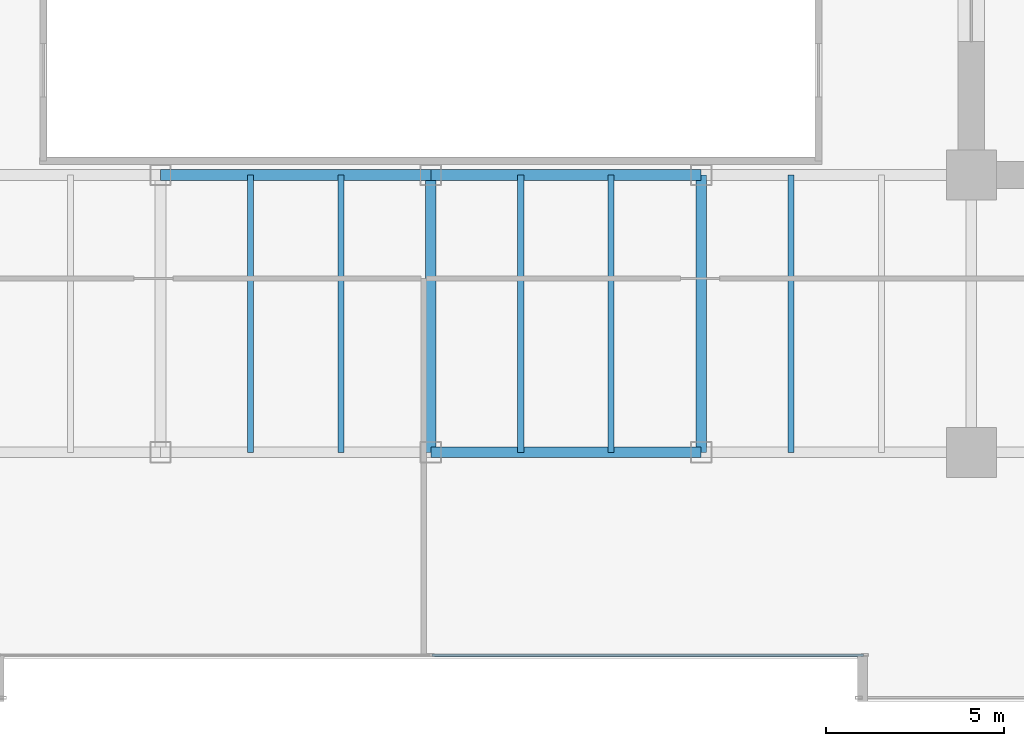
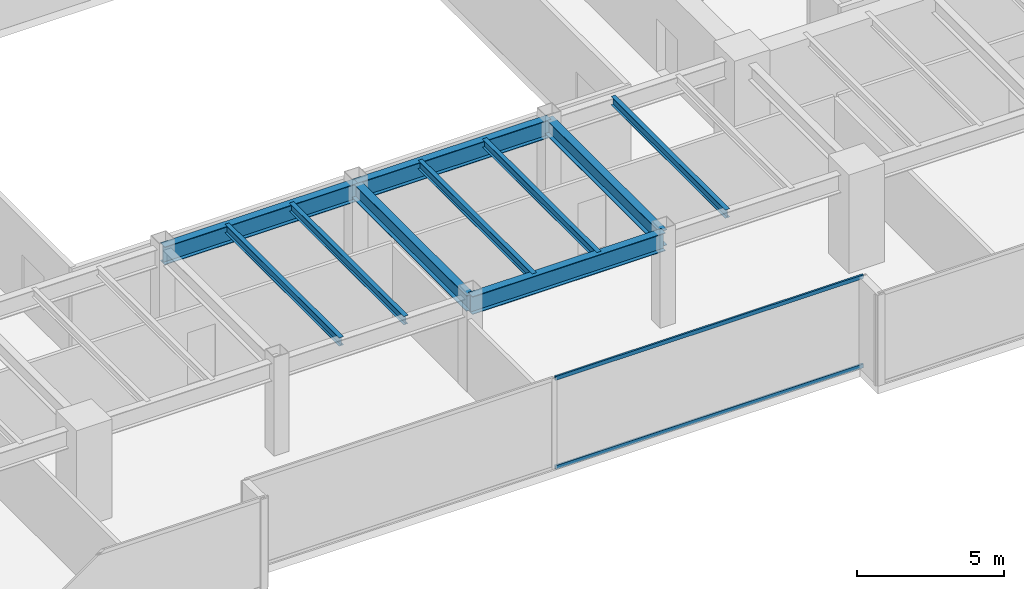
# One storey, part 9 of 35: 10 beams, 2 members, 1 element without a shape of its own.
"""IFC4 building model written with IfcOpenShell, lengths in metres."""

from ifc_helpers import new_model, si_unit, direction, frame, origin, origin_2d, place, context, subcontext, project, spatial, hollow_rectangle, i_section, extrude, source, transform, mapped, material, layer, layer_set, material_profile, profile_set, type_object, type_shapes, element, aggregate, save


model = new_model("IFC4")

# Units and contexts
model_context = context("Model", 3, precision=1e-05, world=origin(), true_north=direction((0.0, 1.0)))
body_context = subcontext(model_context, "Body", "Model", "MODEL_VIEW")
ifc_project = project(units=[si_unit("LENGTHUNIT", "METRE"), si_unit("AREAUNIT", "SQUARE_METRE"), si_unit("VOLUMEUNIT", "CUBIC_METRE"), si_unit("PLANEANGLEUNIT", "RADIAN"), si_unit("MASSUNIT", "GRAM", prefix="KILO")], contexts=[model_context])

# Site, building, storey
site_placement = place(None, origin())
site = spatial("IfcSite", under=ifc_project, at=site_placement, CompositionType="ELEMENT")
building_placement = place(site_placement, origin())
building = spatial("IfcBuilding", under=site, at=building_placement, Name="Haelvirn Gate Laboratories", CompositionType="ELEMENT")
storey_placement = place(building_placement, frame((0.0, 0.0, 66.199951171875)))
storey = spatial("IfcBuildingStorey", under=building, at=storey_placement, Name="L16", CompositionType="ELEMENT", Elevation=66.199951171875)

# Beams
ifc_material_1 = material(Name="Steel SM355", Category="steel")
ifc_material_profile_1 = material_profile(ifc_material_1, i_section(OverallWidth=0.300048828125, OverallDepth=0.75, WebThickness=0.013916015625, FlangeThickness=0.02392578125, at=origin_2d()), Name="H-750x300x14x24")
ifc_profile_set_1 = profile_set([ifc_material_profile_1], Name="Steel SM355")
beam_type_1 = type_object("IfcBeamType", Name="BM-G-750", PredefinedType="BEAM", material=ifc_profile_set_1)
shared_shape_1 = source(origin(), body_context, "Body", "SweptSolid", [
    extrude(i_section(OverallWidth=0.300048828125, OverallDepth=0.75, WebThickness=0.013916015625, FlangeThickness=0.02392578125, at=origin_2d()), origin(), (0.0, 0.0, 1.0), 7.60009765625),
])
for number, where, z_axis, x_axis, name in (
    (1, (37.39990234375, 7.0, 3.405029296875), (1.0, 0.0, 0.0), (0.0, 1.0, 0.0), "L16 Primary Girder Y7.0 (37.4-45.0)"),
    (2, (37.39990234375, 14.800048828125, 3.405029296875), (1.0, 0.0, 0.0), (0.0, 1.0, 0.0), "L16 Primary Girder Y14.8 (37.4-45.0)"),
):
    element("IfcBeam", number, at=place(storey_placement, frame(where, z_axis=z_axis, x_axis=x_axis)), inside=storey, type_object=beam_type_1, Name=name, PredefinedType="BEAM", context=body_context, shape_type="MappedRepresentation", body=[
        mapped(shared_shape_1, transform((0.0, 0.0, 0.0), scale=1.0)),
    ])
shared_shape_2 = source(origin(), body_context, "Body", "SweptSolid", [
    extrude(i_section(OverallWidth=0.300048828125, OverallDepth=0.75, WebThickness=0.013916015625, FlangeThickness=0.02392578125, at=origin_2d()), origin(), (0.0, 0.0, 1.0), 7.599853515625),
])
type_shapes(beam_type_1, [shared_shape_1, shared_shape_2])
beam_placement = place(storey_placement, frame((29.800048828125, 14.800048828125, 3.405029296875), z_axis=(1.0, 0.0, 0.0), x_axis=(0.0, 1.0, 0.0)))
element("IfcBeam", 3, at=beam_placement, inside=storey, type_object=beam_type_1, Name="L16 Primary Girder Y14.8 (29.8-37.4)", PredefinedType="BEAM", context=body_context, shape_type="MappedRepresentation", body=[
    mapped(shared_shape_2, transform((0.0, 0.0, 0.0), scale=1.0)),
])
ifc_material_profile_2 = material_profile(ifc_material_1, i_section(OverallWidth=0.175048828125, OverallDepth=0.35009765625, WebThickness=0.007080078125, FlangeThickness=0.010986328125, at=origin_2d()), Name="H-350x175x7x11")
ifc_profile_set_2 = profile_set([ifc_material_profile_2], Name="Steel SM355")
beam_type_2 = type_object("IfcBeamType", Name="BM-J-350", PredefinedType="JOIST", material=ifc_profile_set_2)
shared_shape_3 = source(origin(), body_context, "Body", "SweptSolid", [
    extrude(i_section(OverallWidth=0.175048828125, OverallDepth=0.35009765625, WebThickness=0.007080078125, FlangeThickness=0.010986328125, at=origin_2d()), origin(), (0.0, 0.0, 1.0), 7.800048828125),
])
type_shapes(beam_type_2, [shared_shape_3])
for number, where, z_axis, x_axis, name in (
    (4, (32.330078125, 7.0, 3.60498046875), (0.0, 1.0, 0.0), (-1.0, 0.0, 0.0), "L16 Composite Lab Joist South X32.33"),
    (5, (34.8701171875, 7.0, 3.60498046875), (0.0, 1.0, 0.0), (-1.0, 0.0, 0.0), "L16 Composite Lab Joist South X34.87"),
    (6, (39.929931640625, 7.0, 3.60498046875), (0.0, 1.0, 0.0), (-1.0, 0.0, 0.0), "L16 Composite Lab Joist South X39.93"),
    (7, (42.469970703125, 7.0, 3.60498046875), (0.0, 1.0, 0.0), (-1.0, 0.0, 0.0), "L16 Composite Lab Joist South X42.47"),
    (8, (47.530029296875, 7.0, 3.60498046875), (0.0, 1.0, 0.0), (-1.0, 0.0, 0.0), "L16 Composite Lab Joist South X47.53"),
):
    element("IfcBeam", number, at=place(storey_placement, frame(where, z_axis=z_axis, x_axis=x_axis)), inside=storey, type_object=beam_type_2, Name=name, PredefinedType="JOIST", context=body_context, shape_type="MappedRepresentation", body=[
        mapped(shared_shape_3, transform((0.0, 0.0, 0.0), scale=1.0)),
    ])
ifc_material_profile_3 = material_profile(ifc_material_1, i_section(OverallWidth=0.300048828125, OverallDepth=0.64990234375, WebThickness=0.012939453125, FlangeThickness=0.02197265625, at=origin_2d()), Name="H-650x300x13x22")
ifc_profile_set_3 = profile_set([ifc_material_profile_3], Name="Steel SM355")
beam_type_3 = type_object("IfcBeamType", Name="BM-G-650", PredefinedType="BEAM", material=ifc_profile_set_3)
shared_shape_4 = source(origin(), body_context, "Body", "SweptSolid", [
    extrude(i_section(OverallWidth=0.300048828125, OverallDepth=0.64990234375, WebThickness=0.012939453125, FlangeThickness=0.02197265625, at=origin_2d()), origin(), (0.0, 0.0, 1.0), 7.800048828125),
])
type_shapes(beam_type_3, [shared_shape_4])
for number, where, z_axis, x_axis, name in (
    (9, (37.39990234375, 7.0, 3.455078125), (0.0, 1.0, 0.0), (-1.0, 0.0, 0.0), "L16 Frame Girder X37.4 (7.0-14.8)"),
    (10, (45.0, 7.0, 3.455078125), (0.0, 1.0, 0.0), (-1.0, 0.0, 0.0), "L16 Frame Girder X45.0 (7.0-14.8)"),
):
    element("IfcBeam", number, at=place(storey_placement, frame(where, z_axis=z_axis, x_axis=x_axis)), inside=storey, type_object=beam_type_3, Name=name, PredefinedType="BEAM", context=body_context, shape_type="MappedRepresentation", body=[
        mapped(shared_shape_4, transform((0.0, 0.0, 0.0), scale=1.0)),
    ])

# Curtain wall, members
ifc_material_2 = material(Name="Anodised bronze unitised aluminium & triple low-E glass", Category="aluminium")
ifc_layer = layer(ifc_material_2, 0.18408203125, Name="CW-SYS-2")
ifc_layer_set = layer_set([ifc_layer], Name="Anodised bronze unitised aluminium & triple low-E glass")
curtain_wall_type = type_object("IfcCurtainWallType", Name="CW-SYS-2", PredefinedType="NOTDEFINED", material=ifc_layer_set)
curtain_wall_placement = place(storey_placement, origin())
curtain_wall = element("IfcCurtainWall", 11, at=curtain_wall_placement, inside=storey, type_object=curtain_wall_type, Name="L16 Unitised Curtain Wall CW-L16-P0-E02-1", PredefinedType="NOTDEFINED")
ifc_material_3 = material(Name="Extruded aluminium 6063-T6 (anodised bronze)", Category="aluminium")
ifc_material_profile_4 = material_profile(ifc_material_3, hollow_rectangle(XDim=0.070068359375, YDim=0.159912109375, WallThickness=0.0048828125, at=origin_2d()), Name="CWT-160x70x5")
ifc_profile_set_4 = profile_set([ifc_material_profile_4], Name="Extruded aluminium 6063-T6 (anodised bronze)")
member_type = type_object("IfcMemberType", Name="CWT-T160", PredefinedType="USERDEFINED", material=ifc_profile_set_4)
shared_shape_5 = source(origin(), body_context, "Body", "SweptSolid", [
    extrude(hollow_rectangle(XDim=0.070068359375, YDim=0.159912109375, WallThickness=0.0048828125, at=origin_2d()), origin(), (0.0, 0.0, 1.0), 12.12744140625),
])
type_shapes(member_type, [shared_shape_5])
member_1_placement = place(storey_placement, frame((37.4375, 1.300048828125, 0.03515625), z_axis=(1.0, 0.0, 0.0), x_axis=(0.0, 1.0, 0.0)))
member_1 = element("IfcMember", 12, at=member_1_placement, type_object=member_type, Name="CW2 transom 2.1", ObjectType="TRANSOM", PredefinedType="USERDEFINED", context=body_context, shape_type="MappedRepresentation", body=[
    mapped(shared_shape_5, transform((0.0, 0.0, 0.0), scale=1.0)),
])
member_2_placement = place(storey_placement, frame((37.4375, 1.300048828125, 3.7451171875), z_axis=(1.0, 0.0, 0.0), x_axis=(0.0, 1.0, 0.0)))
member_2 = element("IfcMember", 13, at=member_2_placement, type_object=member_type, Name="CW2 transom 2.2", ObjectType="TRANSOM", PredefinedType="USERDEFINED", context=body_context, shape_type="MappedRepresentation", body=[
    mapped(shared_shape_5, transform((0.0, 0.0, 0.0), scale=1.0)),
])
aggregate(curtain_wall, [member_1, member_2])

save(model, "model.ifc")
